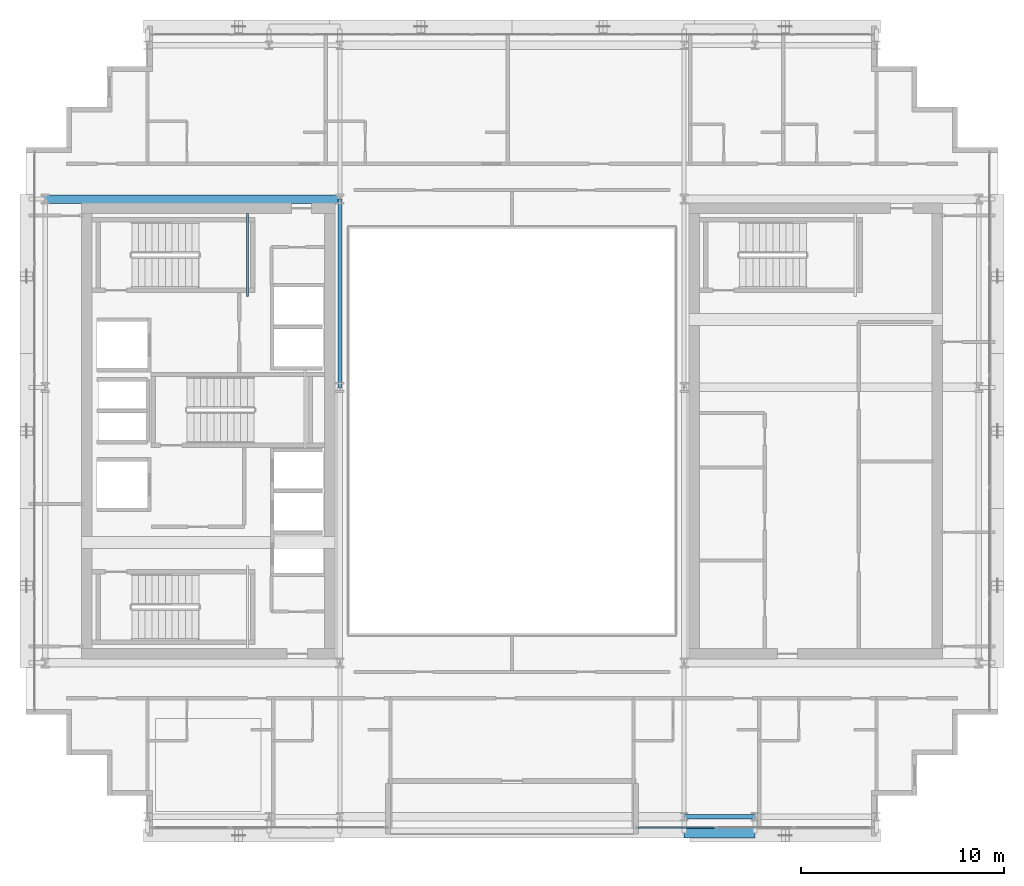
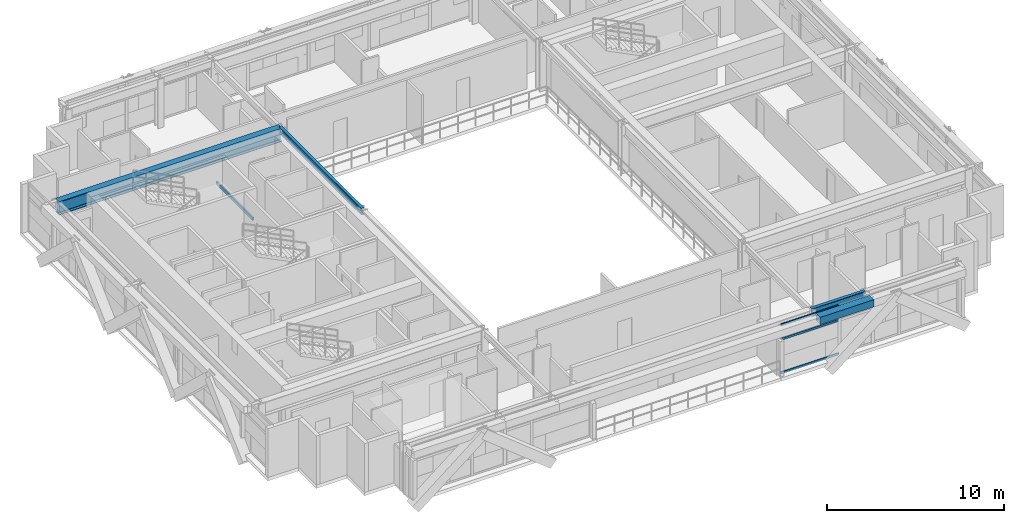
# One storey, part 9 of 31: 5 beams, 3 members, 1 element without a shape of its own.
"""IFC4 building model written with IfcOpenShell, lengths in metres."""

from ifc_helpers import new_model, si_unit, direction, frame, origin, origin_2d, place, context, subcontext, project, spatial, hollow_rectangle, i_section, extrude, source, transform, mapped, material, layer, layer_set, material_profile, profile_set, type_object, element, aggregate, save


model = new_model("IFC4")

# Units and contexts
model_context = context("Model", 3, precision=1e-05, world=origin(), true_north=direction((0.0, 1.0)))
body_context = subcontext(model_context, "Body", "Model", "MODEL_VIEW")
ifc_project = project(units=[si_unit("LENGTHUNIT", "METRE"), si_unit("AREAUNIT", "SQUARE_METRE"), si_unit("VOLUMEUNIT", "CUBIC_METRE"), si_unit("PLANEANGLEUNIT", "RADIAN"), si_unit("MASSUNIT", "GRAM", prefix="KILO")], contexts=[model_context])

# Site, building, storey
site_placement = place(None, origin())
site = spatial("IfcSite", under=ifc_project, at=site_placement, CompositionType="ELEMENT")
building_placement = place(site_placement, origin())
building = spatial("IfcBuilding", under=site, at=building_placement, Name="Ocotamira Hotel", CompositionType="ELEMENT")
storey_placement = place(building_placement, frame((0.0, 0.0, 174.0)))
storey = spatial("IfcBuildingStorey", under=building, at=storey_placement, Name="L43", CompositionType="ELEMENT", Elevation=174.0)

# Beams
ifc_material_1 = material(Name="Steel ASTM A500 Grade C", Category="steel")
ifc_material_profile_1 = material_profile(ifc_material_1, hollow_rectangle(XDim=0.10009765625, YDim=0.199951171875, WallThickness=0.008056640625, at=origin_2d()), Name="HSS200X100X8")
ifc_profile_set_1 = profile_set([ifc_material_profile_1], Name="Steel ASTM A500 Grade C")
beam_type_1 = type_object("IfcBeamType", Name="BM-STLDG-HSS200", PredefinedType="BEAM", material=ifc_profile_set_1)
shared_shape_1 = source(origin(), body_context, "Body", "SweptSolid", [
    extrude(hollow_rectangle(XDim=0.10009765625, YDim=0.199951171875, WallThickness=0.008056640625, at=origin_2d()), origin(), (0.0, 0.0, 1.0), 4.1201171875),
])
beam_1_placement = place(storey_placement, frame((18.949951171875, 32.6298828125, 1.5), z_axis=(0.0, 1.0, 0.0), x_axis=(-1.0, 0.0, 0.0)))
element("IfcBeam", 1, at=beam_1_placement, inside=storey, type_object=beam_type_1, Name="L43 Stair ST-2 Landing Bearer 1", PredefinedType="BEAM", context=body_context, shape_type="MappedRepresentation", body=[
    mapped(shared_shape_1, transform((0.0, 0.0, 0.0), scale=1.0)),
])
ifc_material_2 = material(Name="Steel ASTM A992 Grade 50", Category="steel")
ifc_material_profile_2 = material_profile(ifc_material_2, i_section(OverallWidth=0.41796875, OverallDepth=0.927001953125, WebThickness=0.019287109375, FlangeThickness=0.031982421875, FilletRadius=0.02392578125, at=origin_2d()), Name="W36X231")
ifc_profile_set_2 = profile_set([ifc_material_profile_2], Name="Steel ASTM A992 Grade 50")
beam_type_2 = type_object("IfcBeamType", Name="BM-GIRD-W36X231", PredefinedType="BEAM", material=ifc_profile_set_2)
shared_shape_2 = source(origin(), body_context, "Body", "SweptSolid", [
    extrude(i_section(OverallWidth=0.41796875, OverallDepth=0.927001953125, WebThickness=0.019287109375, FlangeThickness=0.031982421875, FilletRadius=0.02392578125, at=origin_2d()), origin(), (0.0, 0.0, 1.0), 14.550048828125),
])
beam_2_placement = place(storey_placement, frame((8.949951171875, 37.449951171875, 2.906494140625), z_axis=(1.0, 0.0, 0.0), x_axis=(0.0, 1.0, 0.0)))
element("IfcBeam", 2, at=beam_2_placement, inside=storey, type_object=beam_type_2, Name="L43 Girder Y37.45 X8.95-23.5", PredefinedType="BEAM", context=body_context, shape_type="MappedRepresentation", body=[
    mapped(shared_shape_2, transform((0.0, 0.0, 0.0), scale=1.0)),
])
ifc_material_profile_3 = material_profile(ifc_material_2, i_section(OverallWidth=0.2099609375, OverallDepth=0.537109375, WebThickness=0.010986328125, FlangeThickness=0.017333984375, FilletRadius=0.012939453125, at=origin_2d()), Name="W21X68")
ifc_profile_set_3 = profile_set([ifc_material_profile_3], Name="Steel ASTM A992 Grade 50")
beam_type_3 = type_object("IfcBeamType", Name="BM-SEC-W21X68", PredefinedType="JOIST", material=ifc_profile_set_3)
shared_shape_3 = source(origin(), body_context, "Body", "SweptSolid", [
    extrude(i_section(OverallWidth=0.2099609375, OverallDepth=0.537109375, WebThickness=0.010986328125, FlangeThickness=0.017333984375, FilletRadius=0.012939453125, at=origin_2d()), origin(), (0.0, 0.0, 1.0), 3.5),
])
beam_3_placement = place(storey_placement, frame((40.5, 6.949951171875, 3.1015625), z_axis=(1.0, 0.0, 0.0), x_axis=(0.0, 1.0, 0.0)))
element("IfcBeam", 3, at=beam_3_placement, inside=storey, type_object=beam_type_3, Name="L43 Girder Y6.95 X40.5-44", PredefinedType="JOIST", context=body_context, shape_type="MappedRepresentation", body=[
    mapped(shared_shape_3, transform((0.0, 0.0, 0.0), scale=1.0)),
])
ifc_material_profile_4 = material_profile(ifc_material_2, i_section(OverallWidth=0.18994140625, OverallDepth=0.45703125, WebThickness=0.009033203125, FlangeThickness=0.014404296875, FilletRadius=0.010009765625, at=origin_2d()), Name="W18X50")
ifc_profile_set_4 = profile_set([ifc_material_profile_4], Name="Steel ASTM A992 Grade 50")
beam_type_4 = type_object("IfcBeamType", Name="BM-SEC-W18X50", PredefinedType="JOIST", material=ifc_profile_set_4)
shared_shape_4 = source(origin(), body_context, "Body", "SweptSolid", [
    extrude(i_section(OverallWidth=0.18994140625, OverallDepth=0.45703125, WebThickness=0.009033203125, FlangeThickness=0.014404296875, FilletRadius=0.010009765625, at=origin_2d()), origin(), (0.0, 0.0, 1.0), 9.300048828125),
])
beam_4_placement = place(storey_placement, frame((23.5, 28.14990234375, 3.1416015625), z_axis=(0.0, 1.0, 0.0), x_axis=(-1.0, 0.0, 0.0)))
element("IfcBeam", 4, at=beam_4_placement, inside=storey, type_object=beam_type_4, Name="L43 Beam X23.5 Y28.15-37.45", PredefinedType="JOIST", context=body_context, shape_type="MappedRepresentation", body=[
    mapped(shared_shape_4, transform((0.0, 0.0, 0.0), scale=1.0)),
])
ifc_material_profile_5 = material_profile(ifc_material_1, hollow_rectangle(XDim=0.5, YDim=0.5, WallThickness=0.02001953125, at=origin_2d()), Name="HSS500X500X20")
ifc_profile_set_5 = profile_set([ifc_material_profile_5], Name="Steel ASTM A500 Grade C")
beam_type_5 = type_object("IfcBeamType", Name="BM-SPAN-HSS500", PredefinedType="USERDEFINED", material=ifc_profile_set_5)
shared_shape_5 = source(origin(), body_context, "Body", "SweptSolid", [
    extrude(hollow_rectangle(XDim=0.5, YDim=0.5, WallThickness=0.02001953125, at=origin_2d()), origin(), (0.0, 0.0, 1.0), 3.5),
])
beam_5_placement = place(storey_placement, frame((40.5, 6.14990234375, 3.1201171875), z_axis=(1.0, 0.0, 0.0), x_axis=(0.0, 1.0, 0.0)))
element("IfcBeam", 5, at=beam_5_placement, inside=storey, type_object=beam_type_5, Name="L43 Edge Spandrel S X40.5-44", ObjectType="SPANDREL", PredefinedType="USERDEFINED", context=body_context, shape_type="MappedRepresentation", body=[
    mapped(shared_shape_5, transform((0.0, 0.0, 0.0), scale=1.0)),
])

# Curtain wall, members
ifc_material_3 = material(Name="Anodised pale-metal aluminium and solar glass", Category="aluminium")
ifc_layer = layer(ifc_material_3, 0.199951171875)
ifc_layer_set = layer_set([ifc_layer], Name="Anodised pale-metal aluminium and solar glass")
curtain_wall_type = type_object("IfcCurtainWallType", Name="CW-SYS4-Z3", PredefinedType="NOTDEFINED", material=ifc_layer_set)
curtain_wall_placement = place(storey_placement, origin())
curtain_wall = element("IfcCurtainWall", 6, at=curtain_wall_placement, inside=storey, type_object=curtain_wall_type, Name="L43 Curtain Wall CW-4 CW-L43-S2", PredefinedType="NOTDEFINED")
ifc_material_4 = material(Name="Anodised pale-metal aluminium 6063-T6", Category="aluminium")
ifc_material_profile_6 = material_profile(ifc_material_4, hollow_rectangle(XDim=0.074951171875, YDim=0.14990234375, WallThickness=0.006103515625, at=origin_2d()), Name="HSS150X75X6")
ifc_profile_set_6 = profile_set([ifc_material_profile_6], Name="Anodised pale-metal aluminium 6063-T6")
member_type = type_object("IfcMemberType", Name="CWT-150X75", PredefinedType="USERDEFINED", material=ifc_profile_set_6)
shared_shape_6 = source(origin(), body_context, "Body", "SweptSolid", [
    extrude(hollow_rectangle(XDim=0.074951171875, YDim=0.14990234375, WallThickness=0.006103515625, at=origin_2d()), origin(), (0.0, 0.0, 1.0), 3.763427734375),
])
member_1_placement = place(storey_placement, frame((38.22998046875, 6.419921875, 0.03759765625), z_axis=(1.0, 0.0, 0.0), x_axis=(0.0, 1.0, 0.0)))
member_1 = element("IfcMember", 7, at=member_1_placement, type_object=member_type, Name="CW-4 transom 1.1", ObjectType="TRANSOM", PredefinedType="USERDEFINED", context=body_context, shape_type="MappedRepresentation", body=[
    mapped(shared_shape_6, transform((0.0, 0.0, 0.0), scale=1.0)),
])
member_2_placement = place(storey_placement, frame((38.22998046875, 6.419921875, 2.35009765625), z_axis=(1.0, 0.0, 0.0), x_axis=(0.0, 1.0, 0.0)))
member_2 = element("IfcMember", 8, at=member_2_placement, type_object=member_type, Name="CW-4 transom 1.2", ObjectType="TRANSOM", PredefinedType="USERDEFINED", context=body_context, shape_type="MappedRepresentation", body=[
    mapped(shared_shape_6, transform((0.0, 0.0, 0.0), scale=1.0)),
])
member_3_placement = place(storey_placement, frame((38.22998046875, 6.419921875, 3.33251953125), z_axis=(1.0, 0.0, 0.0), x_axis=(0.0, 1.0, 0.0)))
member_3 = element("IfcMember", 9, at=member_3_placement, type_object=member_type, Name="CW-4 transom 1.3", ObjectType="TRANSOM", PredefinedType="USERDEFINED", context=body_context, shape_type="MappedRepresentation", body=[
    mapped(shared_shape_6, transform((0.0, 0.0, 0.0), scale=1.0)),
])
aggregate(curtain_wall, [member_1, member_2, member_3])

save(model, "model.ifc")
